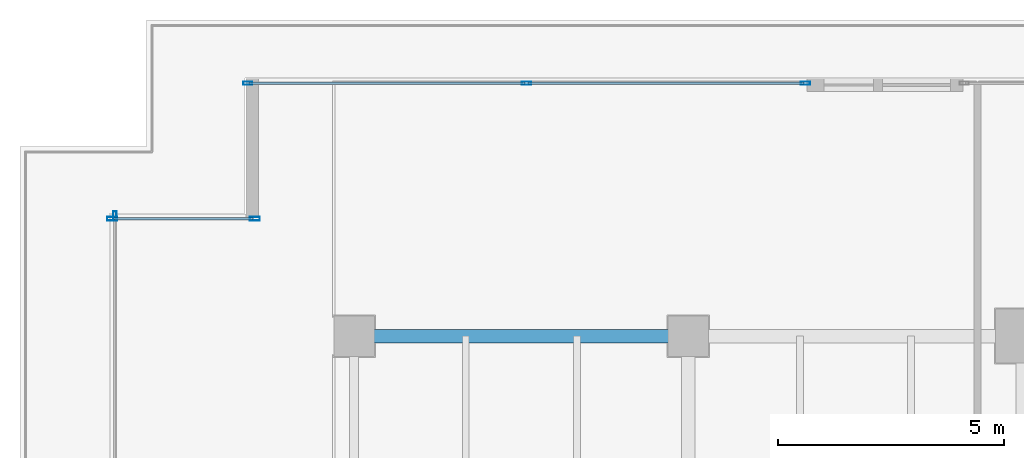
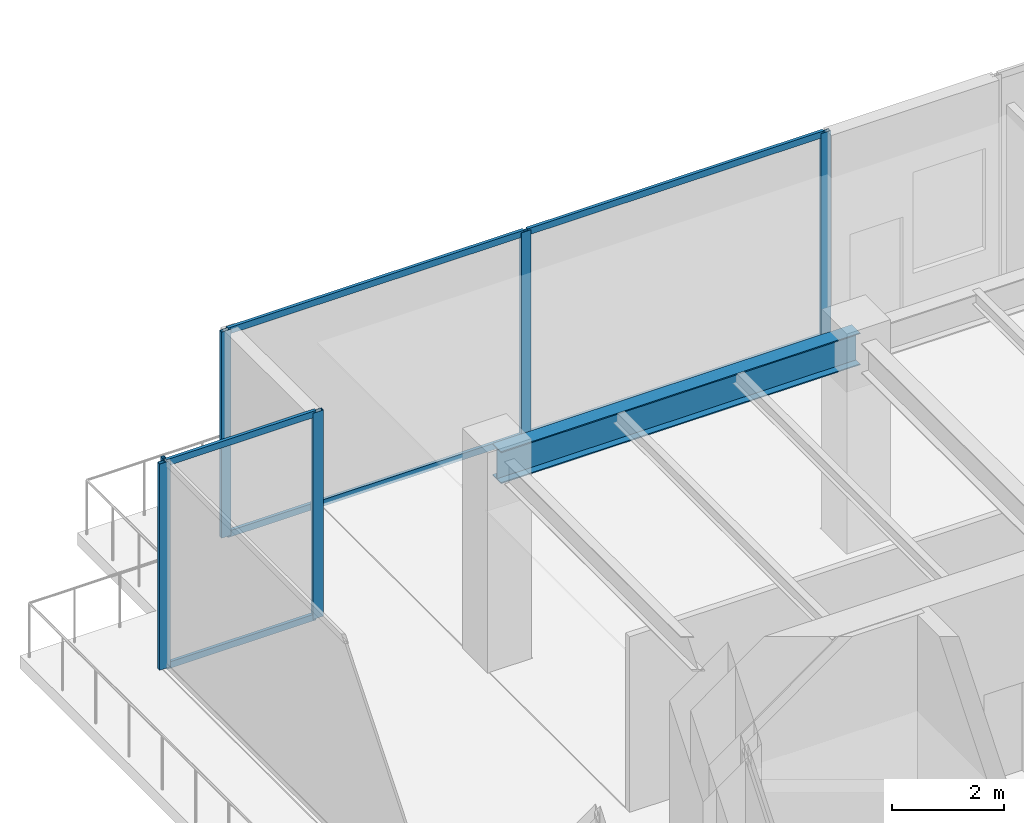
# One storey, part 14 of 33: 12 members, 1 beam, 3 elements without a shape of their own.
"""IFC4 building model written with IfcOpenShell, lengths in metres."""

from ifc_helpers import new_model, si_unit, direction, frame, origin, origin_2d, place, context, subcontext, project, spatial, hollow_rectangle, i_section, extrude, source, transform, mapped, material, layer, layer_set, material_profile, profile_set, type_object, type_shapes, element, aggregate, save


model = new_model("IFC4")

# Units and contexts
model_context = context("Model", 3, precision=1e-05, world=origin(), true_north=direction((0.0, 1.0)))
body_context = subcontext(model_context, "Body", "Model", "MODEL_VIEW")
ifc_project = project(units=[si_unit("LENGTHUNIT", "METRE"), si_unit("AREAUNIT", "SQUARE_METRE"), si_unit("VOLUMEUNIT", "CUBIC_METRE"), si_unit("PLANEANGLEUNIT", "RADIAN"), si_unit("MASSUNIT", "GRAM", prefix="KILO")], contexts=[model_context])

# Site, building, storey
site_placement = place(None, origin())
site = spatial("IfcSite", under=ifc_project, at=site_placement, CompositionType="ELEMENT")
building_placement = place(site_placement, origin())
building = spatial("IfcBuilding", under=site, at=building_placement, Name="Haelvirn Gate Laboratories", CompositionType="ELEMENT")
storey_placement = place(building_placement, frame((0.0, 0.0, 100.300048828125)))
storey = spatial("IfcBuildingStorey", under=building, at=storey_placement, Name="L24", CompositionType="ELEMENT", Elevation=100.300048828125)

# Beam
ifc_material_1 = material(Name="Steel SM355", Category="steel")
ifc_material_profile_1 = material_profile(ifc_material_1, i_section(OverallWidth=0.300048828125, OverallDepth=0.699951171875, WebThickness=0.012939453125, FlangeThickness=0.02392578125, at=origin_2d()), Name="H-700x300x13x24")
ifc_profile_set_1 = profile_set([ifc_material_profile_1], Name="Steel SM355")
beam_type = type_object("IfcBeamType", Name="BM-G-700", PredefinedType="BEAM", material=ifc_profile_set_1)
shared_shape_1 = source(origin(), body_context, "Body", "SweptSolid", [
    extrude(i_section(OverallWidth=0.300048828125, OverallDepth=0.699951171875, WebThickness=0.012939453125, FlangeThickness=0.02392578125, at=origin_2d()), origin(), (0.0, 0.0, 1.0), 7.400146484375),
])
type_shapes(beam_type, [shared_shape_1])
beam_placement = place(storey_placement, frame((7.39990234375, 41.60009765625, 4.139892578125), z_axis=(1.0, 0.0, 0.0), x_axis=(0.0, 1.0, 0.0)))
element("IfcBeam", 1, at=beam_placement, inside=storey, type_object=beam_type, Name="L24 Primary Girder Y41.6 (7.4-14.8)", PredefinedType="BEAM", context=body_context, shape_type="MappedRepresentation", body=[
    mapped(shared_shape_1, transform((0.0, 0.0, 0.0), scale=1.0)),
])

# Curtain wall, members
ifc_material_2 = material(Name="Anodised bronze unitised aluminium & triple low-E glass", Category="aluminium")
ifc_layer_1 = layer(ifc_material_2, 0.179931640625, Name="CW-SYS-3")
ifc_layer_set_1 = layer_set([ifc_layer_1], Name="Anodised bronze unitised aluminium & triple low-E glass")
curtain_wall_type_1 = type_object("IfcCurtainWallType", Name="CW-SYS-3", PredefinedType="NOTDEFINED", material=ifc_layer_set_1)
curtain_wall_1_placement = place(storey_placement, origin())
curtain_wall_1 = element("IfcCurtainWall", 2, at=curtain_wall_1_placement, inside=storey, type_object=curtain_wall_type_1, Name="L24 Unitised Curtain Wall CW-L24-P0-E14-1", PredefinedType="NOTDEFINED")
ifc_material_3 = material(Name="Extruded aluminium 6063-T6 (anodised bronze)", Category="aluminium")
ifc_material_profile_2 = material_profile(ifc_material_3, hollow_rectangle(XDim=0.074951171875, YDim=0.199951171875, WallThickness=0.0048828125, at=origin_2d()), Name="CWM-200x75x5")
ifc_profile_set_2 = profile_set([ifc_material_profile_2], Name="Extruded aluminium 6063-T6 (anodised bronze)")
member_type_1 = type_object("IfcMemberType", Name="CWM-T200", PredefinedType="MULLION", material=ifc_profile_set_2)
shared_shape_2 = source(origin(), body_context, "Body", "SweptSolid", [
    extrude(hollow_rectangle(XDim=0.074951171875, YDim=0.199951171875, WallThickness=0.0048828125, at=origin_2d()), origin(), (0.0, 0.0, 1.0), 4.489990234375),
])
type_shapes(member_type_1, [shared_shape_2])
member_1_placement = place(storey_placement, frame((5.03759765625, 47.199951171875, 0.0), z_axis=(0.0, 0.0, 1.0), x_axis=(0.0, 1.0, 0.0)))
member_1 = element("IfcMember", 3, at=member_1_placement, type_object=member_type_1, Name="CW3 mullion 1", PredefinedType="MULLION", context=body_context, shape_type="MappedRepresentation", body=[
    mapped(shared_shape_2, transform((0.0, 0.0, 0.0), scale=1.0)),
])
member_2_placement = place(storey_placement, frame((11.215087890625, 47.199951171875, 0.0), z_axis=(0.0, 0.0, 1.0), x_axis=(0.0, 1.0, 0.0)))
member_2 = element("IfcMember", 4, at=member_2_placement, type_object=member_type_1, Name="CW3 mullion 2", PredefinedType="MULLION", context=body_context, shape_type="MappedRepresentation", body=[
    mapped(shared_shape_2, transform((0.0, 0.0, 0.0), scale=1.0)),
])
member_3_placement = place(storey_placement, frame((17.392578125, 47.199951171875, 0.0), z_axis=(0.0, 0.0, 1.0), x_axis=(0.0, 1.0, 0.0)))
member_3 = element("IfcMember", 5, at=member_3_placement, type_object=member_type_1, Name="CW3 mullion 3", PredefinedType="MULLION", context=body_context, shape_type="MappedRepresentation", body=[
    mapped(shared_shape_2, transform((0.0, 0.0, 0.0), scale=1.0)),
])

# Curtain wall, member
curtain_wall_2_placement = place(storey_placement, origin())
curtain_wall_2 = element("IfcCurtainWall", 6, at=curtain_wall_2_placement, inside=storey, type_object=curtain_wall_type_1, Name="L24 Unitised Curtain Wall CW-L24-P0-E17", PredefinedType="NOTDEFINED")
member_4_placement = place(storey_placement, frame((2.10009765625, 44.262451171875, 0.0), z_axis=(0.0, 0.0, 1.0), x_axis=(1.0, 0.0, 0.0)))
member_4 = element("IfcMember", 7, at=member_4_placement, type_object=member_type_1, Name="CW3 mullion 1", PredefinedType="MULLION", context=body_context, shape_type="MappedRepresentation", body=[
    mapped(shared_shape_2, transform((0.0, 0.0, 0.0), scale=1.0)),
])
aggregate(curtain_wall_2, [member_4])

# Curtain wall, members
ifc_layer_2 = layer(ifc_material_2, 0.181884765625, Name="CW-SYS-5")
ifc_layer_set_2 = layer_set([ifc_layer_2], Name="Anodised bronze unitised aluminium & triple low-E glass")
curtain_wall_type_2 = type_object("IfcCurtainWallType", Name="CW-SYS-5", PredefinedType="NOTDEFINED", material=ifc_layer_set_2)
curtain_wall_3_placement = place(storey_placement, origin())
curtain_wall_3 = element("IfcCurtainWall", 8, at=curtain_wall_3_placement, inside=storey, type_object=curtain_wall_type_2, Name="L24 Unitised Curtain Wall CW-L24-P0-E16-1", PredefinedType="NOTDEFINED")
ifc_material_profile_3 = material_profile(ifc_material_3, hollow_rectangle(XDim=0.080078125, YDim=0.219970703125, WallThickness=0.006103515625, at=origin_2d()), Name="CWM-220x80x6")
ifc_profile_set_3 = profile_set([ifc_material_profile_3], Name="Extruded aluminium 6063-T6 (anodised bronze)")
member_type_2 = type_object("IfcMemberType", Name="CWM-T220", PredefinedType="MULLION", material=ifc_profile_set_3)
shared_shape_3 = source(origin(), body_context, "Body", "SweptSolid", [
    extrude(hollow_rectangle(XDim=0.080078125, YDim=0.219970703125, WallThickness=0.006103515625, at=origin_2d()), origin(), (0.0, 0.0, 1.0), 4.489990234375),
])
type_shapes(member_type_2, [shared_shape_3])
member_5_placement = place(storey_placement, frame((2.0400390625, 44.199951171875, 0.0), z_axis=(0.0, 0.0, 1.0), x_axis=(0.0, 1.0, 0.0)))
member_5 = element("IfcMember", 9, at=member_5_placement, type_object=member_type_2, Name="CW5 mullion 1", PredefinedType="MULLION", context=body_context, shape_type="MappedRepresentation", body=[
    mapped(shared_shape_3, transform((0.0, 0.0, 0.0), scale=1.0)),
])
member_6_placement = place(storey_placement, frame((5.199951171875, 44.199951171875, 0.0), z_axis=(0.0, 0.0, 1.0), x_axis=(0.0, 1.0, 0.0)))
member_6 = element("IfcMember", 10, at=member_6_placement, type_object=member_type_2, Name="CW5 mullion 2", PredefinedType="MULLION", context=body_context, shape_type="MappedRepresentation", body=[
    mapped(shared_shape_3, transform((0.0, 0.0, 0.0), scale=1.0)),
])

# Member
ifc_material_profile_4 = material_profile(ifc_material_3, hollow_rectangle(XDim=0.06494140625, YDim=0.139892578125, WallThickness=0.00390625, at=origin_2d()), Name="CWT-140x65x4")
ifc_profile_set_4 = profile_set([ifc_material_profile_4], Name="Extruded aluminium 6063-T6 (anodised bronze)")
member_type_3 = type_object("IfcMemberType", Name="CWT-T140", PredefinedType="USERDEFINED", material=ifc_profile_set_4)
shared_shape_4 = source(origin(), body_context, "Body", "SweptSolid", [
    extrude(hollow_rectangle(XDim=0.06494140625, YDim=0.139892578125, WallThickness=0.00390625, at=origin_2d()), origin(), (0.0, 0.0, 1.0), 6.1025390625),
])
member_7_placement = place(storey_placement, frame((5.074951171875, 47.199951171875, 0.032470703125), z_axis=(1.0, 0.0, 0.0), x_axis=(0.0, 1.0, 0.0)))
member_7 = element("IfcMember", 11, at=member_7_placement, type_object=member_type_3, Name="CW3 transom 1.1", ObjectType="TRANSOM", PredefinedType="USERDEFINED", context=body_context, shape_type="MappedRepresentation", body=[
    mapped(shared_shape_4, transform((0.0, 0.0, 0.0), scale=1.0)),
])

member_8_placement = place(storey_placement, frame((5.074951171875, 47.199951171875, 4.45751953125), z_axis=(1.0, 0.0, 0.0), x_axis=(0.0, 1.0, 0.0)))
member_8 = element("IfcMember", 12, at=member_8_placement, type_object=member_type_3, Name="CW3 transom 1.2", ObjectType="TRANSOM", PredefinedType="USERDEFINED", context=body_context, shape_type="MappedRepresentation", body=[
    mapped(shared_shape_4, transform((0.0, 0.0, 0.0), scale=1.0)),
])

member_9_placement = place(storey_placement, frame((11.25244140625, 47.199951171875, 0.032470703125), z_axis=(1.0, 0.0, 0.0), x_axis=(0.0, 1.0, 0.0)))
member_9 = element("IfcMember", 13, at=member_9_placement, type_object=member_type_3, Name="CW3 transom 2.1", ObjectType="TRANSOM", PredefinedType="USERDEFINED", context=body_context, shape_type="MappedRepresentation", body=[
    mapped(shared_shape_4, transform((0.0, 0.0, 0.0), scale=1.0)),
])

member_10_placement = place(storey_placement, frame((11.25244140625, 47.199951171875, 4.45751953125), z_axis=(1.0, 0.0, 0.0), x_axis=(0.0, 1.0, 0.0)))
member_10 = element("IfcMember", 14, at=member_10_placement, type_object=member_type_3, Name="CW3 transom 2.2", ObjectType="TRANSOM", PredefinedType="USERDEFINED", context=body_context, shape_type="MappedRepresentation", body=[
    mapped(shared_shape_4, transform((0.0, 0.0, 0.0), scale=1.0)),
])

aggregate(curtain_wall_1, [member_1, member_2, member_3, member_7, member_8, member_9, member_10])

shared_shape_5 = source(origin(), body_context, "Body", "SweptSolid", [
    extrude(hollow_rectangle(XDim=0.06494140625, YDim=0.139892578125, WallThickness=0.00390625, at=origin_2d()), origin(), (0.0, 0.0, 1.0), 3.079833984375),
])
type_shapes(member_type_3, [shared_shape_4, shared_shape_5])
member_11_placement = place(storey_placement, frame((2.080078125, 44.199951171875, 0.032470703125), z_axis=(1.0, 0.0, 0.0), x_axis=(0.0, 1.0, 0.0)))
member_11 = element("IfcMember", 15, at=member_11_placement, type_object=member_type_3, Name="CW5 transom 1.1", ObjectType="TRANSOM", PredefinedType="USERDEFINED", context=body_context, shape_type="MappedRepresentation", body=[
    mapped(shared_shape_5, transform((0.0, 0.0, 0.0), scale=1.0)),
])

member_12_placement = place(storey_placement, frame((2.080078125, 44.199951171875, 4.45751953125), z_axis=(1.0, 0.0, 0.0), x_axis=(0.0, 1.0, 0.0)))
member_12 = element("IfcMember", 16, at=member_12_placement, type_object=member_type_3, Name="CW5 transom 1.2", ObjectType="TRANSOM", PredefinedType="USERDEFINED", context=body_context, shape_type="MappedRepresentation", body=[
    mapped(shared_shape_5, transform((0.0, 0.0, 0.0), scale=1.0)),
])

aggregate(curtain_wall_3, [member_5, member_6, member_11, member_12])

save(model, "model.ifc")
